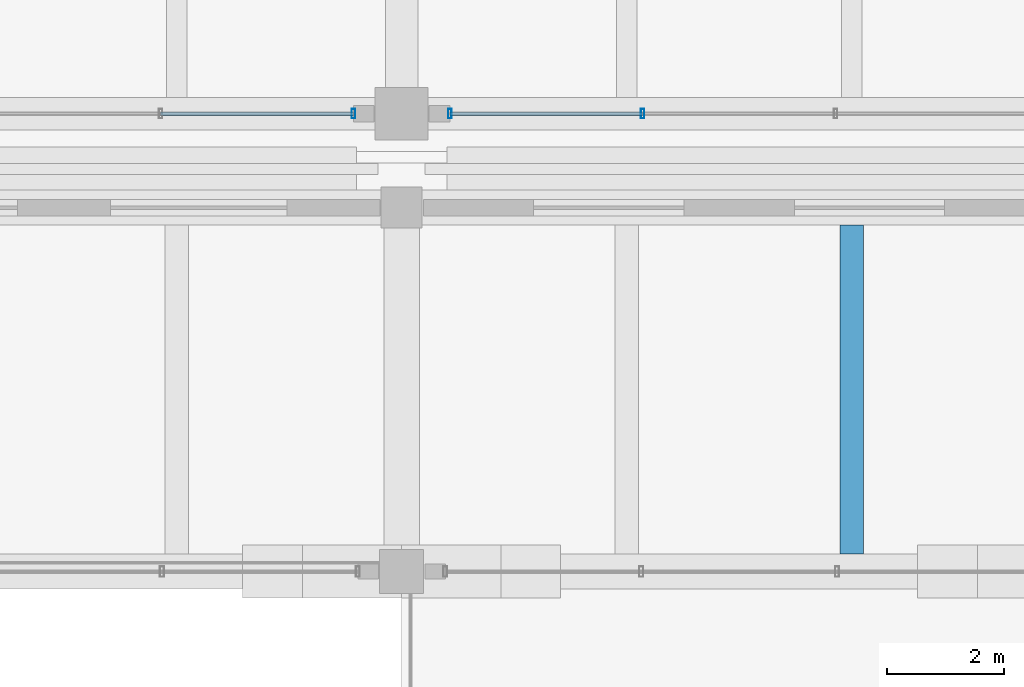
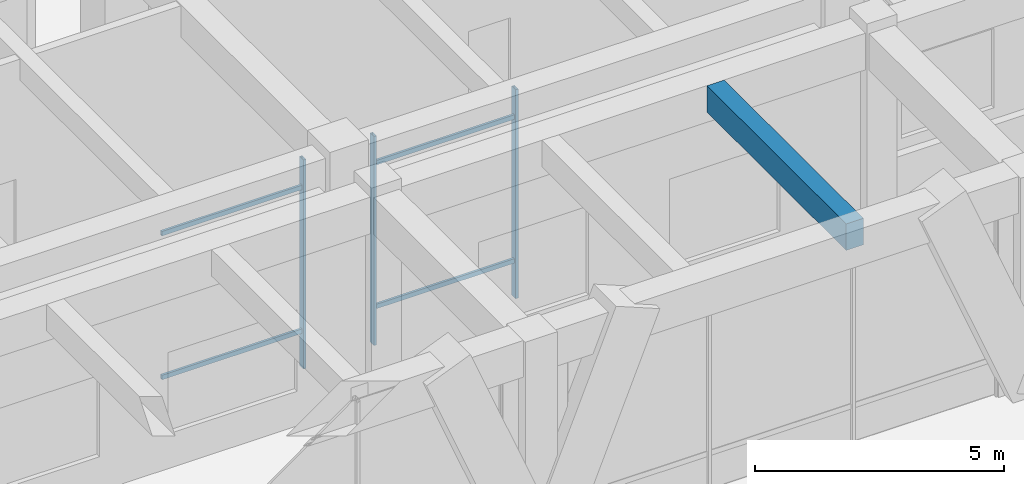
# One storey, part 55 of 148: 7 members, 1 beam, 2 elements without a shape of their own.
"""IFC4 building model written with IfcOpenShell, lengths in metres."""

from ifc_helpers import new_model, si_unit, direction, frame, origin, origin_2d, place, context, subcontext, project, spatial, rectangle, hollow_rectangle, extrude, material, material_profile, profile_set, type_object, element, aggregate, save


model = new_model("IFC4")

# Units and contexts
model_context = context("Model", 3, precision=1e-05, world=origin(), true_north=direction((0.0, 1.0)))
body_context = subcontext(model_context, "Body", "Model", "MODEL_VIEW")
ifc_project = project(units=[si_unit("LENGTHUNIT", "METRE"), si_unit("AREAUNIT", "SQUARE_METRE"), si_unit("VOLUMEUNIT", "CUBIC_METRE"), si_unit("PLANEANGLEUNIT", "RADIAN"), si_unit("MASSUNIT", "GRAM", prefix="KILO")], contexts=[model_context])

# Site, building, storey
site_placement = place(None, origin())
site = spatial("IfcSite", under=ifc_project, at=site_placement, CompositionType="ELEMENT")
building_placement = place(site_placement, origin())
building = spatial("IfcBuilding", under=site, at=building_placement, Name="Ologun Quay Terminus", CompositionType="ELEMENT")
storey_placement = place(building_placement, frame((0.0, 0.0, 8.39990234375)))
storey = spatial("IfcBuildingStorey", under=building, at=storey_placement, Name="L02", CompositionType="ELEMENT", Elevation=8.39990234375)

# Curtain wall, member
ifc_material_1 = material(Name="Aluminium 6063-T6", Category="aluminium")
curtain_wall_type = type_object("IfcCurtainWallType", Name="Waterfront Pavilion Harbour Curtain Wall L02 10500x5000", PredefinedType="USERDEFINED", material=ifc_material_1)
curtain_wall_1_placement = place(storey_placement, origin())
curtain_wall_1 = element("IfcCurtainWall", 1, at=curtain_wall_1_placement, inside=storey, type_object=curtain_wall_type, Name="CW-24 Curtain Wall CW-L02-103", ObjectType="UNITISED CURTAIN WALL", PredefinedType="USERDEFINED")
ifc_material_2 = material(Name="Aluminium 6063-T6", Category="aluminium")
ifc_material_profile_1 = material_profile(ifc_material_2, hollow_rectangle(XDim=0.06005859375, YDim=0.159912109375, WallThickness=0.00390625, at=origin_2d()), Name="ALU 160x60x4")
ifc_profile_set_1 = profile_set([ifc_material_profile_1], Name="Aluminium 6063-T6")
member_type_1 = type_object("IfcMemberType", Name="Courtyard Screen Mullion 160x65", PredefinedType="MULLION", material=ifc_profile_set_1)
member_1_placement = place(storey_placement, frame((33.679931640625, 85.800048828125, 0.0), z_axis=(0.0, 0.0, 1.0), x_axis=(1.0, 0.0, 0.0)))
member_1 = element("IfcMember", 2, at=member_1_placement, type_object=member_type_1, Name="CW-L02-103 Mullion 4", PredefinedType="MULLION", context=body_context, shape_type="SweptSolid", body=[
    extrude(hollow_rectangle(XDim=0.06005859375, YDim=0.159912109375, WallThickness=0.00390625, at=origin_2d()), origin(), (0.0, 0.0, 1.0), 5.130126953125),
])

# Curtain wall, members
curtain_wall_2_placement = place(storey_placement, origin())
curtain_wall_2 = element("IfcCurtainWall", 3, at=curtain_wall_2_placement, inside=storey, type_object=curtain_wall_type, Name="CW-24 Curtain Wall CW-L02-104", ObjectType="UNITISED CURTAIN WALL", PredefinedType="USERDEFINED")
member_2_placement = place(storey_placement, frame((35.320068359375, 85.800048828125, 0.0), z_axis=(0.0, 0.0, 1.0), x_axis=(1.0, 0.0, 0.0)))
member_2 = element("IfcMember", 4, at=member_2_placement, type_object=member_type_1, Name="CW-L02-104 Mullion 1", PredefinedType="MULLION", context=body_context, shape_type="SweptSolid", body=[
    extrude(hollow_rectangle(XDim=0.06005859375, YDim=0.159912109375, WallThickness=0.00390625, at=origin_2d()), origin(), (0.0, 0.0, 1.0), 5.130126953125),
])
member_3_placement = place(storey_placement, frame((38.606689453125, 85.800048828125, 0.0), z_axis=(0.0, 0.0, 1.0), x_axis=(1.0, 0.0, 0.0)))
member_3 = element("IfcMember", 5, at=member_3_placement, type_object=member_type_1, Name="CW-L02-104 Mullion 2", PredefinedType="MULLION", context=body_context, shape_type="SweptSolid", body=[
    extrude(hollow_rectangle(XDim=0.06005859375, YDim=0.159912109375, WallThickness=0.00390625, at=origin_2d()), origin(), (0.0, 0.0, 1.0), 5.130126953125),
])

# Member
ifc_material_3 = material(Name="Aluminium 6063-T6", Category="aluminium")
ifc_material_profile_2 = material_profile(ifc_material_3, hollow_rectangle(XDim=0.054931640625, YDim=0.110107421875, WallThickness=0.00390625, at=origin_2d()), Name="ALU 110x55x4")
ifc_profile_set_2 = profile_set([ifc_material_profile_2], Name="Aluminium 6063-T6")
member_type_2 = type_object("IfcMemberType", Name="Courtyard Screen Transom 110x55", PredefinedType="USERDEFINED", material=ifc_profile_set_2)
member_4_placement = place(storey_placement, frame((30.393310546875, 85.800048828125, 0.900146484375), z_axis=(1.0, 0.0, 0.0), x_axis=(0.0, 1.0, 0.0)))
member_4 = element("IfcMember", 6, at=member_4_placement, type_object=member_type_2, Name="CW-L02-103 Transom B3-1", ObjectType="TRANSOM", PredefinedType="USERDEFINED", context=body_context, shape_type="SweptSolid", body=[
    extrude(hollow_rectangle(XDim=0.054931640625, YDim=0.110107421875, WallThickness=0.00390625, at=origin_2d()), origin(), (0.0, 0.0, 1.0), 3.28662109375),
])

member_5_placement = place(storey_placement, frame((30.393310546875, 85.800048828125, 4.43017578125), z_axis=(1.0, 0.0, 0.0), x_axis=(0.0, 1.0, 0.0)))
member_5 = element("IfcMember", 7, at=member_5_placement, type_object=member_type_2, Name="CW-L02-103 Transom B3-2", ObjectType="TRANSOM", PredefinedType="USERDEFINED", context=body_context, shape_type="SweptSolid", body=[
    extrude(hollow_rectangle(XDim=0.054931640625, YDim=0.110107421875, WallThickness=0.00390625, at=origin_2d()), origin(), (0.0, 0.0, 1.0), 3.28662109375),
])

aggregate(curtain_wall_1, [member_1, member_4, member_5])

member_6_placement = place(storey_placement, frame((35.320068359375, 85.800048828125, 0.900146484375), z_axis=(1.0, 0.0, 0.0), x_axis=(0.0, 1.0, 0.0)))
member_6 = element("IfcMember", 8, at=member_6_placement, type_object=member_type_2, Name="CW-L02-104 Transom B1-1", ObjectType="TRANSOM", PredefinedType="USERDEFINED", context=body_context, shape_type="SweptSolid", body=[
    extrude(hollow_rectangle(XDim=0.054931640625, YDim=0.110107421875, WallThickness=0.00390625, at=origin_2d()), origin(), (0.0, 0.0, 1.0), 3.28662109375),
])

member_7_placement = place(storey_placement, frame((35.320068359375, 85.800048828125, 4.43017578125), z_axis=(1.0, 0.0, 0.0), x_axis=(0.0, 1.0, 0.0)))
member_7 = element("IfcMember", 9, at=member_7_placement, type_object=member_type_2, Name="CW-L02-104 Transom B1-2", ObjectType="TRANSOM", PredefinedType="USERDEFINED", context=body_context, shape_type="SweptSolid", body=[
    extrude(hollow_rectangle(XDim=0.054931640625, YDim=0.110107421875, WallThickness=0.00390625, at=origin_2d()), origin(), (0.0, 0.0, 1.0), 3.28662109375),
])

aggregate(curtain_wall_2, [member_2, member_3, member_6, member_7])

# Beam
ifc_material_4 = material(Name="Concrete C40/50", Category="concrete")
ifc_material_profile_3 = material_profile(ifc_material_4, rectangle(XDim=0.39990234375, YDim=0.64990234375, at=origin_2d()), Name="RC 400x650")
ifc_profile_set_3 = profile_set([ifc_material_profile_3], Name="Concrete C40/50")
beam_type = type_object("IfcBeamType", Name="Station Secondary Joist 400x650", PredefinedType="JOIST", material=ifc_profile_set_3)
beam_placement = place(storey_placement, frame((42.166748046875, 78.300048828125, 4.8251953125), z_axis=(0.0, 1.0, 0.0), x_axis=(-1.0, 0.0, 0.0)))
element("IfcBeam", 10, at=beam_placement, inside=storey, type_object=beam_type, Name="J1 Beam 4/F L02", PredefinedType="JOIST", context=body_context, shape_type="SweptSolid", body=[
    extrude(rectangle(XDim=0.39990234375, YDim=0.64990234375, at=origin_2d()), origin(), (0.0, 0.0, 1.0), 5.599853515625),
])

save(model, "model.ifc")
